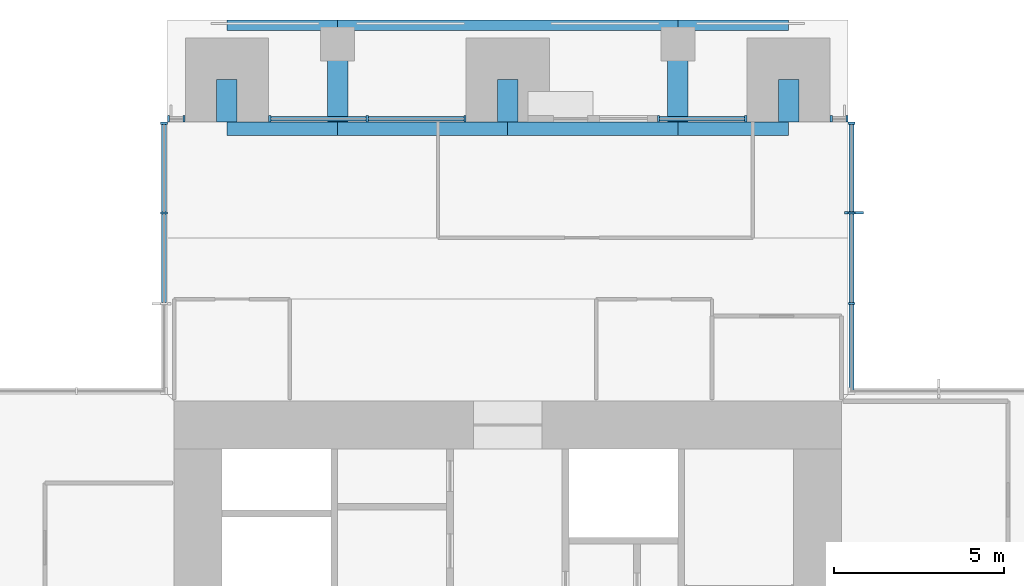
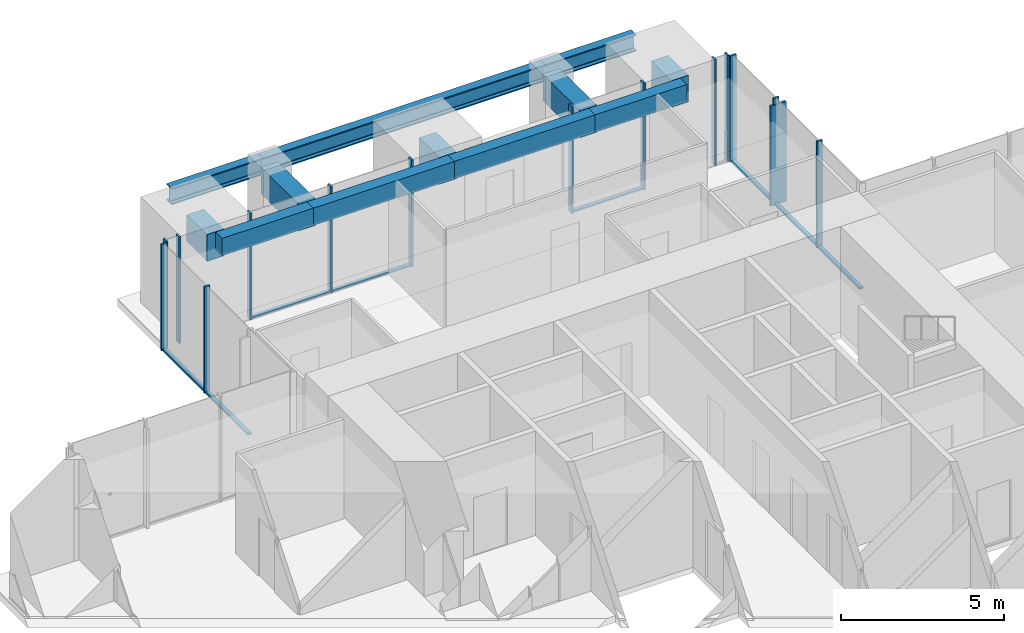
# One storey, part 5 of 17: 23 members, 12 beams, 6 elements without a shape of their own.
"""IFC4 building model written with IfcOpenShell, lengths in metres."""

from ifc_helpers import new_model, si_unit, direction, frame, origin, origin_2d, place, context, subcontext, project, spatial, rectangle, i_section, extrude, material, material_profile, profile_set, type_object, element, aggregate, save


model = new_model("IFC4")

# Units and contexts
model_context = context("Model", 3, precision=1e-05, world=origin(), true_north=direction((0.0, 1.0)))
body_context = subcontext(model_context, "Body", "Model", "MODEL_VIEW")
ifc_project = project(units=[si_unit("LENGTHUNIT", "METRE"), si_unit("AREAUNIT", "SQUARE_METRE"), si_unit("VOLUMEUNIT", "CUBIC_METRE"), si_unit("PLANEANGLEUNIT", "RADIAN"), si_unit("MASSUNIT", "GRAM", prefix="KILO")], contexts=[model_context])

# Site, building, storey
site_placement = place(None, origin())
site = spatial("IfcSite", under=ifc_project, at=site_placement, CompositionType="ELEMENT")
building_placement = place(site_placement, origin())
building = spatial("IfcBuilding", under=site, at=building_placement, Name="Svetlomir Tower", CompositionType="ELEMENT")
storey_placement = place(building_placement, frame((0.0, 0.0, 170.5)))
storey = spatial("IfcBuildingStorey", under=building, at=storey_placement, Name="L40", CompositionType="ELEMENT", Elevation=170.5)

# Curtain wall, members
ifc_material_1 = material(Name="Bronze anodised aluminium curtain wall", Category="aluminium")
curtain_wall_type = type_object("IfcCurtainWallType", Name="CURTAIN WALL CW1 TOWER OFFICE", PredefinedType="NOTDEFINED", material=ifc_material_1)
curtain_wall_1_placement = place(storey_placement, origin())
curtain_wall_1 = element("IfcCurtainWall", 1, at=curtain_wall_1_placement, inside=storey, type_object=curtain_wall_type, Name="Curtain wall CW1 L40", PredefinedType="NOTDEFINED")
ifc_material_2 = material(Name="Bronze anodised aluminium", Category="aluminium")
ifc_material_profile_1 = material_profile(ifc_material_2, rectangle(XDim=0.080078125, YDim=0.550048828125, at=origin_2d()), Name="FIN 80x550")
ifc_profile_set_1 = profile_set([ifc_material_profile_1], Name="Bronze anodised aluminium 6063-T6")
member_type_1 = type_object("IfcMemberType", Name="BRONZE FIN 80x550", PredefinedType="USERDEFINED", material=ifc_profile_set_1)
member_1_placement = place(storey_placement, frame((31.175048828125, 36.333251953125, 0.0), z_axis=(0.0, 0.0, 1.0), x_axis=(0.0, 1.0, 0.0)))
member_1 = element("IfcMember", 2, at=member_1_placement, type_object=member_type_1, Name="Bronze fin L40", ObjectType="FIN", PredefinedType="USERDEFINED", context=body_context, shape_type="SweptSolid", body=[
    extrude(rectangle(XDim=0.080078125, YDim=0.550048828125, at=origin_2d()), origin(), (0.0, 0.0, 1.0), 3.75),
])
ifc_material_3 = material(Name="Bronze anodised aluminium", Category="aluminium")
ifc_material_profile_2 = material_profile(ifc_material_3, rectangle(XDim=0.06494140625, YDim=0.199951171875, at=origin_2d()), Name="AL 65x200")
ifc_profile_set_2 = profile_set([ifc_material_profile_2], Name="Bronze anodised aluminium 6063-T6")
member_type_2 = type_object("IfcMemberType", Name="CW1 MULLION 65x200", PredefinedType="MULLION", material=ifc_profile_set_2)
member_2_placement = place(storey_placement, frame((31.10009765625, 33.666748046875, 0.0), z_axis=(0.0, 0.0, 1.0), x_axis=(0.0, 1.0, 0.0)))
member_2 = element("IfcMember", 3, at=member_2_placement, type_object=member_type_2, Name="CW1 mullion 2", PredefinedType="MULLION", context=body_context, shape_type="SweptSolid", body=[
    extrude(rectangle(XDim=0.06494140625, YDim=0.199951171875, at=origin_2d()), origin(), (0.0, 0.0, 1.0), 4.0),
])
member_3_placement = place(storey_placement, frame((31.10009765625, 36.333251953125, 0.0), z_axis=(0.0, 0.0, 1.0), x_axis=(0.0, 1.0, 0.0)))
member_3 = element("IfcMember", 4, at=member_3_placement, type_object=member_type_2, Name="CW1 mullion 3", PredefinedType="MULLION", context=body_context, shape_type="SweptSolid", body=[
    extrude(rectangle(XDim=0.06494140625, YDim=0.199951171875, at=origin_2d()), origin(), (0.0, 0.0, 1.0), 4.0),
])
member_4_placement = place(storey_placement, frame((31.10009765625, 38.967529296875, 0.0), z_axis=(0.0, 0.0, 1.0), x_axis=(0.0, 1.0, 0.0)))
member_4 = element("IfcMember", 5, at=member_4_placement, type_object=member_type_2, Name="CW1 mullion 4", PredefinedType="MULLION", context=body_context, shape_type="SweptSolid", body=[
    extrude(rectangle(XDim=0.06494140625, YDim=0.199951171875, at=origin_2d()), origin(), (0.0, 0.0, 1.0), 4.0),
])

curtain_wall_2_placement = place(storey_placement, origin())
curtain_wall_2 = element("IfcCurtainWall", 6, at=curtain_wall_2_placement, inside=storey, type_object=curtain_wall_type, Name="Curtain wall CW1 L40", PredefinedType="NOTDEFINED")
member_5_placement = place(storey_placement, frame((30.967529296875, 39.10009765625, 0.0), z_axis=(0.0, 0.0, 1.0), x_axis=(-1.0, 0.0, 0.0)))
member_5 = element("IfcMember", 7, at=member_5_placement, type_object=member_type_2, Name="CW1 mullion 1", PredefinedType="MULLION", context=body_context, shape_type="SweptSolid", body=[
    extrude(rectangle(XDim=0.06494140625, YDim=0.199951171875, at=origin_2d()), origin(), (0.0, 0.0, 1.0), 4.0),
])
member_6_placement = place(storey_placement, frame((30.507568359375, 39.10009765625, 0.0), z_axis=(0.0, 0.0, 1.0), x_axis=(-1.0, 0.0, 0.0)))
member_6 = element("IfcMember", 8, at=member_6_placement, type_object=member_type_2, Name="CW1 mullion 2", PredefinedType="MULLION", context=body_context, shape_type="SweptSolid", body=[
    extrude(rectangle(XDim=0.06494140625, YDim=0.199951171875, at=origin_2d()), origin(), (0.0, 0.0, 1.0), 4.0),
])
aggregate(curtain_wall_2, [member_5, member_6])

curtain_wall_3_placement = place(storey_placement, origin())
curtain_wall_3 = element("IfcCurtainWall", 9, at=curtain_wall_3_placement, inside=storey, type_object=curtain_wall_type, Name="Curtain wall CW1 L40", PredefinedType="NOTDEFINED")
member_7_placement = place(storey_placement, frame((27.992431640625, 39.10009765625, 0.0), z_axis=(0.0, 0.0, 1.0), x_axis=(-1.0, 0.0, 0.0)))
member_7 = element("IfcMember", 10, at=member_7_placement, type_object=member_type_2, Name="CW1 mullion 1", PredefinedType="MULLION", context=body_context, shape_type="SweptSolid", body=[
    extrude(rectangle(XDim=0.06494140625, YDim=0.199951171875, at=origin_2d()), origin(), (0.0, 0.0, 1.0), 4.0),
])
member_8_placement = place(storey_placement, frame((25.4326171875, 39.10009765625, 0.0), z_axis=(0.0, 0.0, 1.0), x_axis=(-1.0, 0.0, 0.0)))
member_8 = element("IfcMember", 11, at=member_8_placement, type_object=member_type_2, Name="CW1 mullion 2", PredefinedType="MULLION", context=body_context, shape_type="SweptSolid", body=[
    extrude(rectangle(XDim=0.06494140625, YDim=0.199951171875, at=origin_2d()), origin(), (0.0, 0.0, 1.0), 4.0),
])

curtain_wall_4_placement = place(storey_placement, origin())
curtain_wall_4 = element("IfcCurtainWall", 12, at=curtain_wall_4_placement, inside=storey, type_object=curtain_wall_type, Name="Curtain wall CW1 L40", PredefinedType="NOTDEFINED")
member_9_placement = place(storey_placement, frame((19.742431640625, 39.10009765625, 0.0), z_axis=(0.0, 0.0, 1.0), x_axis=(-1.0, 0.0, 0.0)))
member_9 = element("IfcMember", 13, at=member_9_placement, type_object=member_type_2, Name="CW1 mullion 1", PredefinedType="MULLION", context=body_context, shape_type="SweptSolid", body=[
    extrude(rectangle(XDim=0.06494140625, YDim=0.199951171875, at=origin_2d()), origin(), (0.0, 0.0, 1.0), 4.0),
])
member_10_placement = place(storey_placement, frame((16.875, 39.10009765625, 0.0), z_axis=(0.0, 0.0, 1.0), x_axis=(-1.0, 0.0, 0.0)))
member_10 = element("IfcMember", 14, at=member_10_placement, type_object=member_type_2, Name="CW1 mullion 2", PredefinedType="MULLION", context=body_context, shape_type="SweptSolid", body=[
    extrude(rectangle(XDim=0.06494140625, YDim=0.199951171875, at=origin_2d()), origin(), (0.0, 0.0, 1.0), 4.0),
])
member_11_placement = place(storey_placement, frame((14.007568359375, 39.10009765625, 0.0), z_axis=(0.0, 0.0, 1.0), x_axis=(-1.0, 0.0, 0.0)))
member_11 = element("IfcMember", 15, at=member_11_placement, type_object=member_type_2, Name="CW1 mullion 3", PredefinedType="MULLION", context=body_context, shape_type="SweptSolid", body=[
    extrude(rectangle(XDim=0.06494140625, YDim=0.199951171875, at=origin_2d()), origin(), (0.0, 0.0, 1.0), 4.0),
])

curtain_wall_5_placement = place(storey_placement, origin())
curtain_wall_5 = element("IfcCurtainWall", 16, at=curtain_wall_5_placement, inside=storey, type_object=curtain_wall_type, Name="Curtain wall CW1 L40", PredefinedType="NOTDEFINED")
member_12_placement = place(storey_placement, frame((11.492431640625, 39.10009765625, 0.0), z_axis=(0.0, 0.0, 1.0), x_axis=(-1.0, 0.0, 0.0)))
member_12 = element("IfcMember", 17, at=member_12_placement, type_object=member_type_2, Name="CW1 mullion 1", PredefinedType="MULLION", context=body_context, shape_type="SweptSolid", body=[
    extrude(rectangle(XDim=0.06494140625, YDim=0.199951171875, at=origin_2d()), origin(), (0.0, 0.0, 1.0), 4.0),
])
member_13_placement = place(storey_placement, frame((11.032470703125, 39.10009765625, 0.0), z_axis=(0.0, 0.0, 1.0), x_axis=(-1.0, 0.0, 0.0)))
member_13 = element("IfcMember", 18, at=member_13_placement, type_object=member_type_2, Name="CW1 mullion 2", PredefinedType="MULLION", context=body_context, shape_type="SweptSolid", body=[
    extrude(rectangle(XDim=0.06494140625, YDim=0.199951171875, at=origin_2d()), origin(), (0.0, 0.0, 1.0), 4.0),
])
aggregate(curtain_wall_5, [member_12, member_13])

curtain_wall_6_placement = place(storey_placement, origin())
curtain_wall_6 = element("IfcCurtainWall", 19, at=curtain_wall_6_placement, inside=storey, type_object=curtain_wall_type, Name="Curtain wall CW1 L40", PredefinedType="NOTDEFINED")
member_14_placement = place(storey_placement, frame((10.89990234375, 38.967529296875, 0.0), z_axis=(0.0, 0.0, 1.0), x_axis=(0.0, -1.0, 0.0)))
member_14 = element("IfcMember", 20, at=member_14_placement, type_object=member_type_2, Name="CW1 mullion 1", PredefinedType="MULLION", context=body_context, shape_type="SweptSolid", body=[
    extrude(rectangle(XDim=0.06494140625, YDim=0.199951171875, at=origin_2d()), origin(), (0.0, 0.0, 1.0), 4.0),
])
member_15_placement = place(storey_placement, frame((10.89990234375, 36.333251953125, 0.0), z_axis=(0.0, 0.0, 1.0), x_axis=(0.0, -1.0, 0.0)))
member_15 = element("IfcMember", 21, at=member_15_placement, type_object=member_type_2, Name="CW1 mullion 2", PredefinedType="MULLION", context=body_context, shape_type="SweptSolid", body=[
    extrude(rectangle(XDim=0.06494140625, YDim=0.199951171875, at=origin_2d()), origin(), (0.0, 0.0, 1.0), 4.0),
])

# Member
ifc_material_4 = material(Name="Bronze anodised aluminium", Category="aluminium")
ifc_material_profile_3 = material_profile(ifc_material_4, rectangle(XDim=0.139892578125, YDim=0.06494140625, at=origin_2d()), Name="AL 140x65")
ifc_profile_set_3 = profile_set([ifc_material_profile_3], Name="Bronze anodised aluminium 6063-T6")
member_type_3 = type_object("IfcMemberType", Name="CW1 TRANSOM 65x140", PredefinedType="USERDEFINED", material=ifc_profile_set_3)
member_16_placement = place(storey_placement, frame((31.10009765625, 31.06494140625, 0.032470703125), z_axis=(0.0, 1.0, 0.0), x_axis=(-1.0, 0.0, 0.0)))
member_16 = element("IfcMember", 22, at=member_16_placement, type_object=member_type_3, Name="CW1 transom 1.1", ObjectType="TRANSOM", PredefinedType="USERDEFINED", context=body_context, shape_type="SweptSolid", body=[
    extrude(rectangle(XDim=0.139892578125, YDim=0.06494140625, at=origin_2d()), origin(), (0.0, 0.0, 1.0), 2.5693359375),
])

member_17_placement = place(storey_placement, frame((31.10009765625, 33.69921875, 0.032470703125), z_axis=(0.0, 1.0, 0.0), x_axis=(-1.0, 0.0, 0.0)))
member_17 = element("IfcMember", 23, at=member_17_placement, type_object=member_type_3, Name="CW1 transom 2.1", ObjectType="TRANSOM", PredefinedType="USERDEFINED", context=body_context, shape_type="SweptSolid", body=[
    extrude(rectangle(XDim=0.139892578125, YDim=0.06494140625, at=origin_2d()), origin(), (0.0, 0.0, 1.0), 2.6015625),
])

member_18_placement = place(storey_placement, frame((31.10009765625, 36.36572265625, 0.032470703125), z_axis=(0.0, 1.0, 0.0), x_axis=(-1.0, 0.0, 0.0)))
member_18 = element("IfcMember", 24, at=member_18_placement, type_object=member_type_3, Name="CW1 transom 3.1", ObjectType="TRANSOM", PredefinedType="USERDEFINED", context=body_context, shape_type="SweptSolid", body=[
    extrude(rectangle(XDim=0.139892578125, YDim=0.06494140625, at=origin_2d()), origin(), (0.0, 0.0, 1.0), 2.5693359375),
])

aggregate(curtain_wall_1, [member_2, member_3, member_4, member_16, member_17, member_18, member_1])

member_19_placement = place(storey_placement, frame((27.9599609375, 39.10009765625, 0.032470703125), z_axis=(-1.0, 0.0, 0.0), x_axis=(0.0, -1.0, 0.0)))
member_19 = element("IfcMember", 25, at=member_19_placement, type_object=member_type_3, Name="CW1 transom 1.1", ObjectType="TRANSOM", PredefinedType="USERDEFINED", context=body_context, shape_type="SweptSolid", body=[
    extrude(rectangle(XDim=0.139892578125, YDim=0.06494140625, at=origin_2d()), origin(), (0.0, 0.0, 1.0), 2.494873046875),
])

aggregate(curtain_wall_3, [member_7, member_8, member_19])

member_20_placement = place(storey_placement, frame((19.7099609375, 39.10009765625, 0.032470703125), z_axis=(-1.0, 0.0, 0.0), x_axis=(0.0, -1.0, 0.0)))
member_20 = element("IfcMember", 26, at=member_20_placement, type_object=member_type_3, Name="CW1 transom 1.1", ObjectType="TRANSOM", PredefinedType="USERDEFINED", context=body_context, shape_type="SweptSolid", body=[
    extrude(rectangle(XDim=0.139892578125, YDim=0.06494140625, at=origin_2d()), origin(), (0.0, 0.0, 1.0), 2.802490234375),
])

member_21_placement = place(storey_placement, frame((16.842529296875, 39.10009765625, 0.032470703125), z_axis=(-1.0, 0.0, 0.0), x_axis=(0.0, -1.0, 0.0)))
member_21 = element("IfcMember", 27, at=member_21_placement, type_object=member_type_3, Name="CW1 transom 2.1", ObjectType="TRANSOM", PredefinedType="USERDEFINED", context=body_context, shape_type="SweptSolid", body=[
    extrude(rectangle(XDim=0.139892578125, YDim=0.06494140625, at=origin_2d()), origin(), (0.0, 0.0, 1.0), 2.802490234375),
])

aggregate(curtain_wall_4, [member_9, member_10, member_11, member_20, member_21])

member_22_placement = place(storey_placement, frame((10.89990234375, 38.93505859375, 0.032470703125), z_axis=(0.0, -1.0, 0.0), x_axis=(1.0, 0.0, 0.0)))
member_22 = element("IfcMember", 28, at=member_22_placement, type_object=member_type_3, Name="CW1 transom 1.1", ObjectType="TRANSOM", PredefinedType="USERDEFINED", context=body_context, shape_type="SweptSolid", body=[
    extrude(rectangle(XDim=0.139892578125, YDim=0.06494140625, at=origin_2d()), origin(), (0.0, 0.0, 1.0), 2.5693359375),
])

member_23_placement = place(storey_placement, frame((10.89990234375, 36.30078125, 0.032470703125), z_axis=(0.0, -1.0, 0.0), x_axis=(1.0, 0.0, 0.0)))
member_23 = element("IfcMember", 29, at=member_23_placement, type_object=member_type_3, Name="CW1 transom 2.1", ObjectType="TRANSOM", PredefinedType="USERDEFINED", context=body_context, shape_type="SweptSolid", body=[
    extrude(rectangle(XDim=0.139892578125, YDim=0.06494140625, at=origin_2d()), origin(), (0.0, 0.0, 1.0), 2.6015625),
])

aggregate(curtain_wall_6, [member_14, member_15, member_22, member_23])

# Beams
ifc_material_5 = material(Name="Steel S355", Category="steel")
ifc_material_profile_4 = material_profile(ifc_material_5, i_section(OverallWidth=0.304931640625, OverallDepth=0.6201171875, WebThickness=0.02099609375, FlangeThickness=0.0400390625, FilletRadius=0.027099609375, at=origin_2d()), Name="HEM 600")
ifc_profile_set_4 = profile_set([ifc_material_profile_4], Name="Steel S355")
beam_type_1 = type_object("IfcBeamType", Name="EDGE BEAM HEM 600", PredefinedType="SPANDREL", material=ifc_profile_set_4)
beam_1_placement = place(storey_placement, frame((12.75, 41.847412109375, 3.43994140625), z_axis=(1.0, 0.0, 0.0), x_axis=(0.0, 1.0, 0.0)))
element("IfcBeam", 30, at=beam_1_placement, inside=storey, type_object=beam_type_1, Name="Edge beam 11/42 to 16/42 under L41", PredefinedType="SPANDREL", context=body_context, shape_type="SweptSolid", body=[
    extrude(i_section(OverallWidth=0.304931640625, OverallDepth=0.6201171875, WebThickness=0.02099609375, FlangeThickness=0.0400390625, FilletRadius=0.027099609375, at=origin_2d()), origin(), (0.0, 0.0, 1.0), 3.25),
])
beam_2_placement = place(storey_placement, frame((16.0, 41.847412109375, 3.43994140625), z_axis=(1.0, 0.0, 0.0), x_axis=(0.0, 1.0, 0.0)))
element("IfcBeam", 31, at=beam_2_placement, inside=storey, type_object=beam_type_1, Name="Edge beam 16/42 to 26/42 under L41", PredefinedType="SPANDREL", context=body_context, shape_type="SweptSolid", body=[
    extrude(i_section(OverallWidth=0.304931640625, OverallDepth=0.6201171875, WebThickness=0.02099609375, FlangeThickness=0.0400390625, FilletRadius=0.027099609375, at=origin_2d()), origin(), (0.0, 0.0, 1.0), 10.0),
])
beam_3_placement = place(storey_placement, frame((26.0, 41.847412109375, 3.43994140625), z_axis=(1.0, 0.0, 0.0), x_axis=(0.0, 1.0, 0.0)))
element("IfcBeam", 32, at=beam_3_placement, inside=storey, type_object=beam_type_1, Name="Edge beam 26/42 to 31/42 under L41", PredefinedType="SPANDREL", context=body_context, shape_type="SweptSolid", body=[
    extrude(i_section(OverallWidth=0.304931640625, OverallDepth=0.6201171875, WebThickness=0.02099609375, FlangeThickness=0.0400390625, FilletRadius=0.027099609375, at=origin_2d()), origin(), (0.0, 0.0, 1.0), 3.25),
])
ifc_material_6 = material(Name="Concrete C60/75", Category="concrete")
ifc_material_profile_5 = material_profile(ifc_material_6, rectangle(XDim=0.39990234375, YDim=0.64990234375, at=origin_2d()), Name="RC 400x650")
ifc_profile_set_5 = profile_set([ifc_material_profile_5], Name="Concrete C60/75")
beam_type_2 = type_object("IfcBeamType", Name="FACADE EDGE BEAM RC 400x650", PredefinedType="BEAM", material=ifc_profile_set_5)
beam_4_placement = place(storey_placement, frame((12.75, 38.800048828125, 3.425048828125), z_axis=(1.0, 0.0, 0.0), x_axis=(0.0, 1.0, 0.0)))
element("IfcBeam", 33, at=beam_4_placement, inside=storey, type_object=beam_type_2, Name="Facade edge beam N 11 to 16 under L41", PredefinedType="BEAM", context=body_context, shape_type="SweptSolid", body=[
    extrude(rectangle(XDim=0.39990234375, YDim=0.64990234375, at=origin_2d()), origin(), (0.0, 0.0, 1.0), 3.25),
])
for number, where, z_axis, x_axis, name in (
    (34, (16.0, 38.800048828125, 3.425048828125), (1.0, 0.0, 0.0), (0.0, 1.0, 0.0), "Facade edge beam N 16 to 21 under L41"),
    (35, (21.0, 38.800048828125, 3.425048828125), (1.0, 0.0, 0.0), (0.0, 1.0, 0.0), "Facade edge beam N 21 to 26 under L41"),
):
    element("IfcBeam", number, at=place(storey_placement, frame(where, z_axis=z_axis, x_axis=x_axis)), inside=storey, type_object=beam_type_2, Name=name, PredefinedType="BEAM", context=body_context, shape_type="SweptSolid", body=[
        extrude(rectangle(XDim=0.39990234375, YDim=0.64990234375, at=origin_2d()), origin(), (0.0, 0.0, 1.0), 5.0),
    ])
beam_5_placement = place(storey_placement, frame((26.0, 38.800048828125, 3.425048828125), z_axis=(1.0, 0.0, 0.0), x_axis=(0.0, 1.0, 0.0)))
element("IfcBeam", 36, at=beam_5_placement, inside=storey, type_object=beam_type_2, Name="Facade edge beam N 26 to 31 under L41", PredefinedType="BEAM", context=body_context, shape_type="SweptSolid", body=[
    extrude(rectangle(XDim=0.39990234375, YDim=0.64990234375, at=origin_2d()), origin(), (0.0, 0.0, 1.0), 3.25),
])
ifc_material_7 = material(Name="Concrete C60/75", Category="concrete")
ifc_material_profile_6 = material_profile(ifc_material_7, rectangle(XDim=0.60009765625, YDim=1.0, at=origin_2d()), Name="RC 600x1000")
ifc_profile_set_6 = profile_set([ifc_material_profile_6], Name="Concrete C60/75")
beam_type_3 = type_object("IfcBeamType", Name="LOGGIA LINK BEAM RC 600x1000", PredefinedType="BEAM", material=ifc_profile_set_6)
beam_6_placement = place(storey_placement, frame((12.75, 40.25, 3.25), z_axis=(0.0, -1.0, 0.0), x_axis=(1.0, 0.0, 0.0)))
element("IfcBeam", 37, at=beam_6_placement, inside=storey, type_object=beam_type_3, Name="Loggia link beam N 11 under L41", PredefinedType="BEAM", context=body_context, shape_type="SweptSolid", body=[
    extrude(rectangle(XDim=0.60009765625, YDim=1.0, at=origin_2d()), origin(), (0.0, 0.0, 1.0), 1.25),
])
beam_7_placement = place(storey_placement, frame((16.0, 41.300048828125, 3.25), z_axis=(0.0, -1.0, 0.0), x_axis=(1.0, 0.0, 0.0)))
element("IfcBeam", 38, at=beam_7_placement, inside=storey, type_object=beam_type_3, Name="Loggia link beam N 16 under L41", PredefinedType="BEAM", context=body_context, shape_type="SweptSolid", body=[
    extrude(rectangle(XDim=0.60009765625, YDim=1.0, at=origin_2d()), origin(), (0.0, 0.0, 1.0), 2.300048828125),
])
beam_8_placement = place(storey_placement, frame((21.0, 40.25, 3.25), z_axis=(0.0, -1.0, 0.0), x_axis=(1.0, 0.0, 0.0)))
element("IfcBeam", 39, at=beam_8_placement, inside=storey, type_object=beam_type_3, Name="Loggia link beam N 21 under L41", PredefinedType="BEAM", context=body_context, shape_type="SweptSolid", body=[
    extrude(rectangle(XDim=0.60009765625, YDim=1.0, at=origin_2d()), origin(), (0.0, 0.0, 1.0), 1.25),
])
beam_9_placement = place(storey_placement, frame((26.0, 41.300048828125, 3.25), z_axis=(0.0, -1.0, 0.0), x_axis=(1.0, 0.0, 0.0)))
element("IfcBeam", 40, at=beam_9_placement, inside=storey, type_object=beam_type_3, Name="Loggia link beam N 26 under L41", PredefinedType="BEAM", context=body_context, shape_type="SweptSolid", body=[
    extrude(rectangle(XDim=0.60009765625, YDim=1.0, at=origin_2d()), origin(), (0.0, 0.0, 1.0), 2.300048828125),
])
beam_10_placement = place(storey_placement, frame((29.25, 40.25, 3.25), z_axis=(0.0, -1.0, 0.0), x_axis=(1.0, 0.0, 0.0)))
element("IfcBeam", 41, at=beam_10_placement, inside=storey, type_object=beam_type_3, Name="Loggia link beam N 31 under L41", PredefinedType="BEAM", context=body_context, shape_type="SweptSolid", body=[
    extrude(rectangle(XDim=0.60009765625, YDim=1.0, at=origin_2d()), origin(), (0.0, 0.0, 1.0), 1.25),
])

save(model, "model.ifc")
